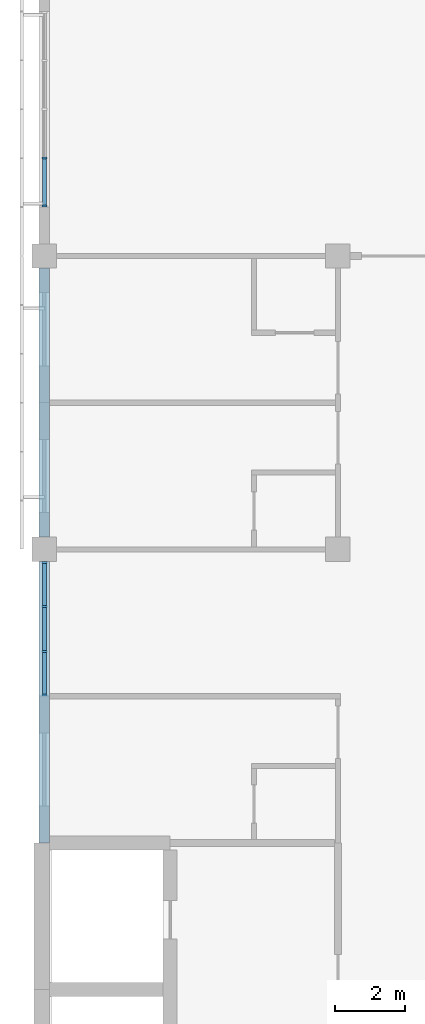
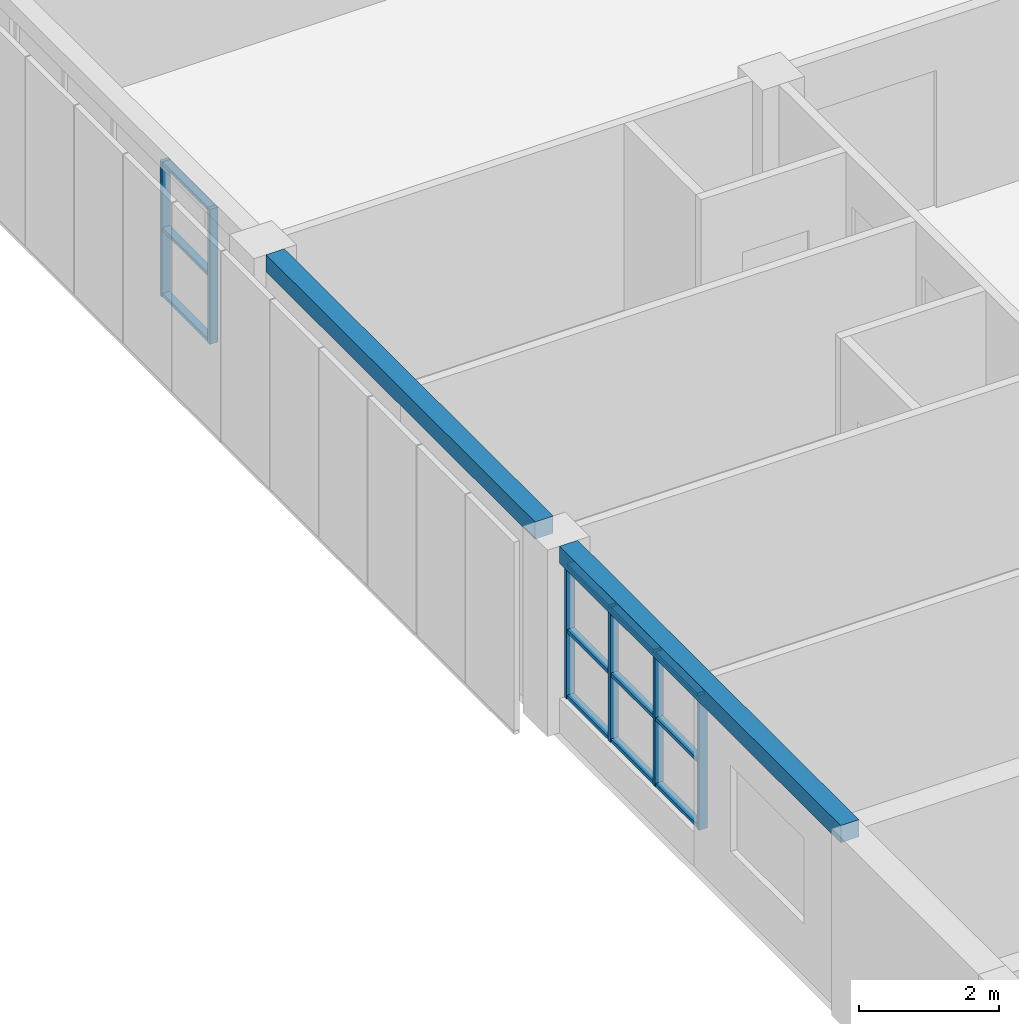
# One storey, part 12 of 46: 18 members, 2 beams, 2 elements without a shape of their own.
"""IFC4 building model written with IfcOpenShell, lengths in metres."""

from ifc_helpers import new_model, si_unit, direction, frame, origin, origin_2d, place, context, subcontext, project, spatial, rectangle, extrude, material, material_profile, profile_set, type_object, element, aggregate, save


model = new_model("IFC4")

# Units and contexts
model_context = context("Model", 3, precision=1e-05, world=origin(), true_north=direction((0.0, 1.0)))
body_context = subcontext(model_context, "Body", "Model", "MODEL_VIEW")
ifc_project = project(units=[si_unit("LENGTHUNIT", "METRE"), si_unit("AREAUNIT", "SQUARE_METRE"), si_unit("VOLUMEUNIT", "CUBIC_METRE"), si_unit("PLANEANGLEUNIT", "RADIAN"), si_unit("MASSUNIT", "GRAM", prefix="KILO")], contexts=[model_context])

# Site, building, storey
site_placement = place(None, origin())
site = spatial("IfcSite", under=ifc_project, at=site_placement, CompositionType="ELEMENT")
building_placement = place(site_placement, origin())
building = spatial("IfcBuilding", under=site, at=building_placement, Name="Yavir Park General Hospital", CompositionType="ELEMENT")
storey_placement = place(building_placement, frame((0.0, 0.0, 18.89990234375)))
storey = spatial("IfcBuildingStorey", under=building, at=storey_placement, Name="L04", CompositionType="ELEMENT", Elevation=18.89990234375)

# Curtain wall, members
ifc_material_1 = material(Name="Aluminium curtain wall frame with insulated glazing", Category="aluminium")
curtain_wall_type = type_object("IfcCurtainWallType", Name="Day room pocket glazing, ward floors, 2360 high, 1400 module", PredefinedType="NOTDEFINED", material=ifc_material_1)
curtain_wall_1_placement = place(storey_placement, origin())
curtain_wall_1 = element("IfcCurtainWall", 1, at=curtain_wall_1_placement, inside=storey, type_object=curtain_wall_type, Name="CW6 L04-019", PredefinedType="NOTDEFINED")
ifc_material_2 = material(Name="Aluminium", Category="aluminium")
ifc_material_profile_1 = material_profile(ifc_material_2, rectangle(XDim=0.139892578125, YDim=0.06005859375, at=origin_2d()), Name="AL 60x140")
ifc_profile_set_1 = profile_set([ifc_material_profile_1], Name="Aluminium")
member_type_1 = type_object("IfcMemberType", Name="Day room pocket glazing, ward floors, 2360 high mullion 60 x 140", PredefinedType="MULLION", material=ifc_profile_set_1)
member_1_placement = place(storey_placement, frame((0.0, 79.830078125, 0.60009765625), z_axis=(0.0, 0.0, 1.0), x_axis=(-1.0, 0.0, 0.0)))
member_1 = element("IfcMember", 2, at=member_1_placement, type_object=member_type_1, Name="CW6 mullion 1", PredefinedType="MULLION", context=body_context, shape_type="SweptSolid", body=[
    extrude(rectangle(XDim=0.139892578125, YDim=0.06005859375, at=origin_2d()), origin(), (0.0, 0.0, 1.0), 2.360107421875),
])
member_2_placement = place(storey_placement, frame((0.0, 81.083251953125, 0.60009765625), z_axis=(0.0, 0.0, 1.0), x_axis=(-1.0, 0.0, 0.0)))
member_2 = element("IfcMember", 3, at=member_2_placement, type_object=member_type_1, Name="CW6 mullion 2", PredefinedType="MULLION", context=body_context, shape_type="SweptSolid", body=[
    extrude(rectangle(XDim=0.139892578125, YDim=0.06005859375, at=origin_2d()), origin(), (0.0, 0.0, 1.0), 2.360107421875),
])
member_3_placement = place(storey_placement, frame((0.0, 82.36669921875, 0.60009765625), z_axis=(0.0, 0.0, 1.0), x_axis=(-1.0, 0.0, 0.0)))
member_3 = element("IfcMember", 4, at=member_3_placement, type_object=member_type_1, Name="CW6 mullion 3", PredefinedType="MULLION", context=body_context, shape_type="SweptSolid", body=[
    extrude(rectangle(XDim=0.139892578125, YDim=0.06005859375, at=origin_2d()), origin(), (0.0, 0.0, 1.0), 2.360107421875),
])
member_4_placement = place(storey_placement, frame((0.0, 83.6201171875, 0.60009765625), z_axis=(0.0, 0.0, 1.0), x_axis=(-1.0, 0.0, 0.0)))
member_4 = element("IfcMember", 5, at=member_4_placement, type_object=member_type_1, Name="CW6 mullion 4", PredefinedType="MULLION", context=body_context, shape_type="SweptSolid", body=[
    extrude(rectangle(XDim=0.139892578125, YDim=0.06005859375, at=origin_2d()), origin(), (0.0, 0.0, 1.0), 2.360107421875),
])

curtain_wall_2_placement = place(storey_placement, origin())
curtain_wall_2 = element("IfcCurtainWall", 6, at=curtain_wall_2_placement, inside=storey, type_object=curtain_wall_type, Name="CW6 L04-020", PredefinedType="NOTDEFINED")
member_5_placement = place(storey_placement, frame((0.0, 93.830078125, 0.60009765625), z_axis=(0.0, 0.0, 1.0), x_axis=(-1.0, 0.0, 0.0)))
member_5 = element("IfcMember", 7, at=member_5_placement, type_object=member_type_1, Name="CW6 mullion 1", PredefinedType="MULLION", context=body_context, shape_type="SweptSolid", body=[
    extrude(rectangle(XDim=0.139892578125, YDim=0.06005859375, at=origin_2d()), origin(), (0.0, 0.0, 1.0), 2.360107421875),
])
member_6_placement = place(storey_placement, frame((0.0, 95.199951171875, 0.60009765625), z_axis=(0.0, 0.0, 1.0), x_axis=(-1.0, 0.0, 0.0)))
member_6 = element("IfcMember", 8, at=member_6_placement, type_object=member_type_1, Name="CW6 mullion 2", PredefinedType="MULLION", context=body_context, shape_type="SweptSolid", body=[
    extrude(rectangle(XDim=0.139892578125, YDim=0.06005859375, at=origin_2d()), origin(), (0.0, 0.0, 1.0), 2.360107421875),
])

# Member
ifc_material_3 = material(Name="Aluminium", Category="aluminium")
ifc_material_profile_2 = material_profile(ifc_material_3, rectangle(XDim=0.1201171875, YDim=0.06005859375, at=origin_2d()), Name="AL 120x60")
ifc_profile_set_2 = profile_set([ifc_material_profile_2], Name="Aluminium")
member_type_2 = type_object("IfcMemberType", Name="Day room pocket glazing, ward floors, 2360 high transom 60 x 120", PredefinedType="MULLION", material=ifc_profile_set_2)
member_7_placement = place(storey_placement, frame((0.0, 79.860107421875, 0.630126953125), z_axis=(0.0, 1.0, 0.0), x_axis=(-1.0, 0.0, 0.0)))
member_7 = element("IfcMember", 9, at=member_7_placement, type_object=member_type_2, Name="CW6 transom 1.1", PredefinedType="MULLION", context=body_context, shape_type="SweptSolid", body=[
    extrude(rectangle(XDim=0.1201171875, YDim=0.06005859375, at=origin_2d()), origin(), (0.0, 0.0, 1.0), 1.193115234375),
])

member_8_placement = place(storey_placement, frame((0.0, 79.860107421875, 1.780029296875), z_axis=(0.0, 1.0, 0.0), x_axis=(-1.0, 0.0, 0.0)))
member_8 = element("IfcMember", 10, at=member_8_placement, type_object=member_type_2, Name="CW6 transom 1.2", PredefinedType="MULLION", context=body_context, shape_type="SweptSolid", body=[
    extrude(rectangle(XDim=0.1201171875, YDim=0.06005859375, at=origin_2d()), origin(), (0.0, 0.0, 1.0), 1.193115234375),
])

member_9_placement = place(storey_placement, frame((0.0, 79.860107421875, 2.93017578125), z_axis=(0.0, 1.0, 0.0), x_axis=(-1.0, 0.0, 0.0)))
member_9 = element("IfcMember", 11, at=member_9_placement, type_object=member_type_2, Name="CW6 transom 1.3", PredefinedType="MULLION", context=body_context, shape_type="SweptSolid", body=[
    extrude(rectangle(XDim=0.1201171875, YDim=0.06005859375, at=origin_2d()), origin(), (0.0, 0.0, 1.0), 1.193115234375),
])

member_10_placement = place(storey_placement, frame((0.0, 81.11328125, 0.630126953125), z_axis=(0.0, 1.0, 0.0), x_axis=(-1.0, 0.0, 0.0)))
member_10 = element("IfcMember", 12, at=member_10_placement, type_object=member_type_2, Name="CW6 transom 2.1", PredefinedType="MULLION", context=body_context, shape_type="SweptSolid", body=[
    extrude(rectangle(XDim=0.1201171875, YDim=0.06005859375, at=origin_2d()), origin(), (0.0, 0.0, 1.0), 1.223388671875),
])

member_11_placement = place(storey_placement, frame((0.0, 81.11328125, 1.780029296875), z_axis=(0.0, 1.0, 0.0), x_axis=(-1.0, 0.0, 0.0)))
member_11 = element("IfcMember", 13, at=member_11_placement, type_object=member_type_2, Name="CW6 transom 2.2", PredefinedType="MULLION", context=body_context, shape_type="SweptSolid", body=[
    extrude(rectangle(XDim=0.1201171875, YDim=0.06005859375, at=origin_2d()), origin(), (0.0, 0.0, 1.0), 1.223388671875),
])

member_12_placement = place(storey_placement, frame((0.0, 81.11328125, 2.93017578125), z_axis=(0.0, 1.0, 0.0), x_axis=(-1.0, 0.0, 0.0)))
member_12 = element("IfcMember", 14, at=member_12_placement, type_object=member_type_2, Name="CW6 transom 2.3", PredefinedType="MULLION", context=body_context, shape_type="SweptSolid", body=[
    extrude(rectangle(XDim=0.1201171875, YDim=0.06005859375, at=origin_2d()), origin(), (0.0, 0.0, 1.0), 1.223388671875),
])

member_13_placement = place(storey_placement, frame((0.0, 82.396728515625, 0.630126953125), z_axis=(0.0, 1.0, 0.0), x_axis=(-1.0, 0.0, 0.0)))
member_13 = element("IfcMember", 15, at=member_13_placement, type_object=member_type_2, Name="CW6 transom 3.1", PredefinedType="MULLION", context=body_context, shape_type="SweptSolid", body=[
    extrude(rectangle(XDim=0.1201171875, YDim=0.06005859375, at=origin_2d()), origin(), (0.0, 0.0, 1.0), 1.193359375),
])

member_14_placement = place(storey_placement, frame((0.0, 82.396728515625, 1.780029296875), z_axis=(0.0, 1.0, 0.0), x_axis=(-1.0, 0.0, 0.0)))
member_14 = element("IfcMember", 16, at=member_14_placement, type_object=member_type_2, Name="CW6 transom 3.2", PredefinedType="MULLION", context=body_context, shape_type="SweptSolid", body=[
    extrude(rectangle(XDim=0.1201171875, YDim=0.06005859375, at=origin_2d()), origin(), (0.0, 0.0, 1.0), 1.193359375),
])

member_15_placement = place(storey_placement, frame((0.0, 82.396728515625, 2.93017578125), z_axis=(0.0, 1.0, 0.0), x_axis=(-1.0, 0.0, 0.0)))
member_15 = element("IfcMember", 17, at=member_15_placement, type_object=member_type_2, Name="CW6 transom 3.3", PredefinedType="MULLION", context=body_context, shape_type="SweptSolid", body=[
    extrude(rectangle(XDim=0.1201171875, YDim=0.06005859375, at=origin_2d()), origin(), (0.0, 0.0, 1.0), 1.193359375),
])

aggregate(curtain_wall_1, [member_1, member_2, member_3, member_4, member_7, member_8, member_9, member_10, member_11, member_12, member_13, member_14, member_15])

member_16_placement = place(storey_placement, frame((0.0, 93.860107421875, 0.630126953125), z_axis=(0.0, 1.0, 0.0), x_axis=(-1.0, 0.0, 0.0)))
member_16 = element("IfcMember", 18, at=member_16_placement, type_object=member_type_2, Name="CW6 transom 1.1", PredefinedType="MULLION", context=body_context, shape_type="SweptSolid", body=[
    extrude(rectangle(XDim=0.1201171875, YDim=0.06005859375, at=origin_2d()), origin(), (0.0, 0.0, 1.0), 1.309814453125),
])

member_17_placement = place(storey_placement, frame((0.0, 93.860107421875, 1.780029296875), z_axis=(0.0, 1.0, 0.0), x_axis=(-1.0, 0.0, 0.0)))
member_17 = element("IfcMember", 19, at=member_17_placement, type_object=member_type_2, Name="CW6 transom 1.2", PredefinedType="MULLION", context=body_context, shape_type="SweptSolid", body=[
    extrude(rectangle(XDim=0.1201171875, YDim=0.06005859375, at=origin_2d()), origin(), (0.0, 0.0, 1.0), 1.309814453125),
])

member_18_placement = place(storey_placement, frame((0.0, 93.860107421875, 2.93017578125), z_axis=(0.0, 1.0, 0.0), x_axis=(-1.0, 0.0, 0.0)))
member_18 = element("IfcMember", 20, at=member_18_placement, type_object=member_type_2, Name="CW6 transom 1.3", PredefinedType="MULLION", context=body_context, shape_type="SweptSolid", body=[
    extrude(rectangle(XDim=0.1201171875, YDim=0.06005859375, at=origin_2d()), origin(), (0.0, 0.0, 1.0), 1.309814453125),
])

aggregate(curtain_wall_2, [member_5, member_6, member_16, member_17, member_18])

# Beams
ifc_material_4 = material(Name="Concrete C35/45", Category="concrete")
ifc_material_profile_3 = material_profile(ifc_material_4, rectangle(XDim=0.300048828125, YDim=0.300048828125, at=origin_2d()), Name="RC300x300")
ifc_profile_set_3 = profile_set([ifc_material_profile_3], Name="Concrete C35/45")
beam_type = type_object("IfcBeamType", Name="RC BEAM 300x300 edge beam", PredefinedType="BEAM", material=ifc_profile_set_3)
beam_1_placement = place(storey_placement, frame((0.0, 75.60009765625, 3.110107421875), z_axis=(0.0, 1.0, 0.0), x_axis=(-1.0, 0.0, 0.0)))
element("IfcBeam", 21, at=beam_1_placement, inside=storey, type_object=beam_type, Name="B:EDGE:L04:023", PredefinedType="BEAM", context=body_context, shape_type="SweptSolid", body=[
    extrude(rectangle(XDim=0.300048828125, YDim=0.300048828125, at=origin_2d()), origin(), (0.0, 0.0, 1.0), 8.0498046875),
])
beam_2_placement = place(storey_placement, frame((0.0, 84.35009765625, 3.110107421875), z_axis=(0.0, 1.0, 0.0), x_axis=(-1.0, 0.0, 0.0)))
element("IfcBeam", 22, at=beam_2_placement, inside=storey, type_object=beam_type, Name="B:EDGE:L04:024", PredefinedType="BEAM", context=body_context, shape_type="SweptSolid", body=[
    extrude(rectangle(XDim=0.300048828125, YDim=0.300048828125, at=origin_2d()), origin(), (0.0, 0.0, 1.0), 7.699951171875),
])

save(model, "model.ifc")
